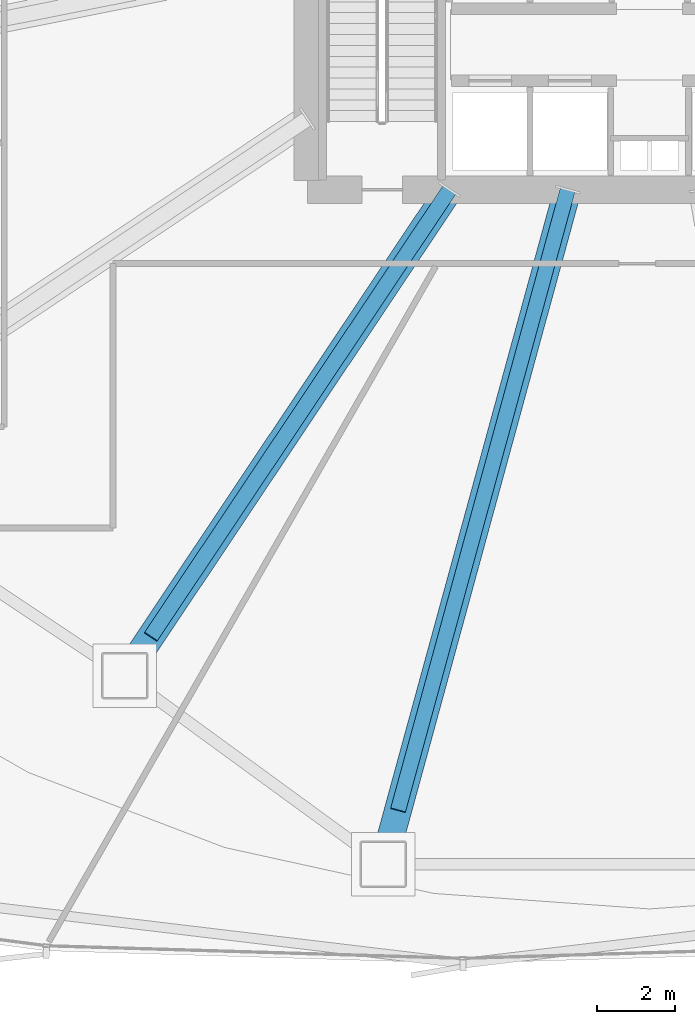
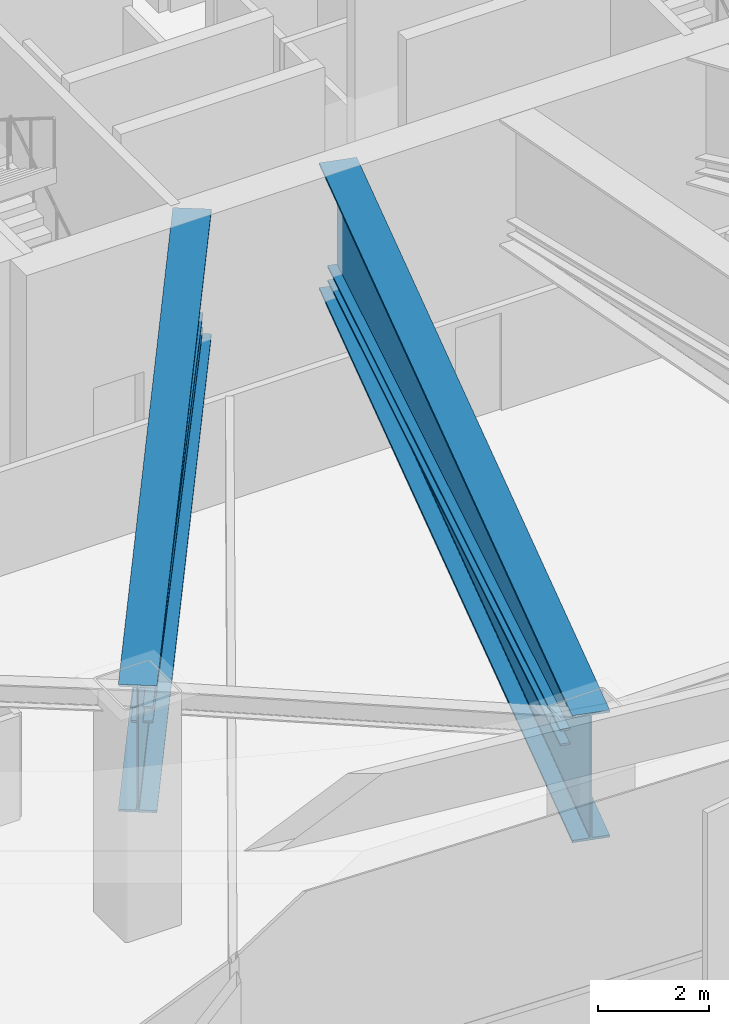
# One storey, part 9 of 36: 2 beams, 2 members.
"""IFC4 building model written with IfcOpenShell, lengths in metres."""

from ifc_helpers import new_model, si_unit, direction, frame, origin, origin_2d, place, context, subcontext, project, spatial, i_section, extrude, source, transform, mapped, material, material_profile, profile_set, type_object, element, save


model = new_model("IFC4")

# Units and contexts
model_context = context("Model", 3, precision=1e-05, world=origin(), true_north=direction((0.0, 1.0)))
body_context = subcontext(model_context, "Body", "Model", "MODEL_VIEW")
ifc_project = project(units=[si_unit("LENGTHUNIT", "METRE"), si_unit("AREAUNIT", "SQUARE_METRE"), si_unit("VOLUMEUNIT", "CUBIC_METRE"), si_unit("PLANEANGLEUNIT", "RADIAN"), si_unit("MASSUNIT", "GRAM", prefix="KILO"), si_unit("THERMODYNAMICTEMPERATUREUNIT", "KELVIN")], contexts=[model_context])

# Site, building, storey
site_placement = place(None, origin())
site = spatial("IfcSite", under=ifc_project, at=site_placement, CompositionType="ELEMENT")
building_placement = place(site_placement, origin())
building = spatial("IfcBuilding", under=site, at=building_placement, Name="Kethvar Cultural Tower", CompositionType="ELEMENT")
storey_placement = place(building_placement, frame((0.0, 0.0, 24.0)))
storey = spatial("IfcBuildingStorey", under=building, at=storey_placement, Name="L05", CompositionType="ELEMENT", Elevation=24.0)

# Beams
ifc_material = material(Name="Steel S460M", Category="steel")
ifc_material_profile_1 = material_profile(ifc_material, i_section(OverallWidth=0.699951171875, OverallDepth=2.800048828125, WebThickness=0.031982421875, FlangeThickness=0.050048828125, FilletRadius=0.02392578125, at=origin_2d()), Name="Steel S460M — PG2800x700x50x32")
ifc_profile_set_1 = profile_set([ifc_material_profile_1], Name="Steel S460M — PG2800x700x50x32")
beam_type = type_object("IfcBeamType", Name="BM-TR2800", PredefinedType="BEAM", material=ifc_profile_set_1)
shared_shape_1 = source(origin(), body_context, "Body", "SweptSolid", [
    extrude(i_section(OverallWidth=0.699951171875, OverallDepth=2.800048828125, WebThickness=0.031982421875, FlangeThickness=0.050048828125, FilletRadius=0.02392578125, at=origin_2d()), origin(), (0.0, 0.0, 1.0), 17.987060546875),
])
beam_1_placement = place(storey_placement, frame((44.6943359375, 20.10009765625, 3.716064453125), z_axis=(-0.26376624534, -0.964586630541, 0.0), x_axis=(0.964586630541, -0.26376624534, 0.0)))
element("IfcBeam", 1, at=beam_1_placement, inside=storey, type_object=beam_type, Name="L05 Composite Transfer Girder TG-12", PredefinedType="BEAM", context=body_context, shape_type="MappedRepresentation", body=[
    mapped(shared_shape_1, transform((0.0, 0.0, 0.0), scale=1.0)),
])
shared_shape_2 = source(origin(), body_context, "Body", "SweptSolid", [
    extrude(i_section(OverallWidth=0.699951171875, OverallDepth=2.800048828125, WebThickness=0.031982421875, FlangeThickness=0.050048828125, FilletRadius=0.02392578125, at=origin_2d()), origin(), (0.0, 0.0, 1.0), 15.03515625),
])
beam_2_placement = place(storey_placement, frame((41.655029296875, 20.10009765625, 3.716064453125), z_axis=(-0.555569254616, -0.83147026605, 0.0), x_axis=(0.83147026605, -0.555569254616, 0.0)))
element("IfcBeam", 2, at=beam_2_placement, inside=storey, type_object=beam_type, Name="L05 Composite Transfer Girder TG-11", PredefinedType="BEAM", context=body_context, shape_type="MappedRepresentation", body=[
    mapped(shared_shape_2, transform((0.0, 0.0, 0.0), scale=1.0)),
])

# Members
ifc_material_profile_2 = material_profile(ifc_material, i_section(OverallWidth=0.39306640625, OverallDepth=0.345947265625, WebThickness=0.0244140625, FlangeThickness=0.03759765625, FilletRadius=0.014892578125, at=origin_2d()), Name="Steel S460M — HD400x509")
ifc_profile_set_2 = profile_set([ifc_material_profile_2], Name="Steel S460M — HD400x509")
member_type = type_object("IfcMemberType", Name="MB-TR-DIAG", PredefinedType="BRACE", material=ifc_profile_set_2)
shared_shape_3 = source(origin(), body_context, "Body", "SweptSolid", [
    extrude(i_section(OverallWidth=0.39306640625, OverallDepth=0.345947265625, WebThickness=0.0244140625, FlangeThickness=0.03759765625, FilletRadius=0.014892578125, at=origin_2d()), origin(), (0.0, 0.0, 1.0), 13.866943359375),
])
member_1_placement = place(storey_placement, frame((41.655029296875, 20.10009765625, 2.64990234375), z_axis=(-0.55418443224, -0.829384002096, 0.070723349249), x_axis=(0.831466018908, -0.555575610877, 0.0)))
element("IfcMember", 3, at=member_1_placement, inside=storey, type_object=member_type, Name="L05 Transfer Truss Diagonal TD-11", PredefinedType="BRACE", context=body_context, shape_type="MappedRepresentation", body=[
    mapped(shared_shape_3, transform((0.0, 0.0, 0.0), scale=1.0)),
])
shared_shape_4 = source(origin(), body_context, "Body", "SweptSolid", [
    extrude(i_section(OverallWidth=0.39306640625, OverallDepth=0.345947265625, WebThickness=0.0244140625, FlangeThickness=0.03759765625, FilletRadius=0.014892578125, at=origin_2d()), origin(), (0.0, 0.0, 1.0), 16.5771484375),
])
member_2_placement = place(storey_placement, frame((44.6943359375, 20.10009765625, 2.64990234375), z_axis=(-0.263298274222, -0.962898784365, 0.059160374066), x_axis=(0.964588269228, -0.263760252631, 0.0)))
element("IfcMember", 4, at=member_2_placement, inside=storey, type_object=member_type, Name="L05 Transfer Truss Diagonal TD-12", PredefinedType="BRACE", context=body_context, shape_type="MappedRepresentation", body=[
    mapped(shared_shape_4, transform((0.0, 0.0, 0.0), scale=1.0)),
])

save(model, "model.ifc")
